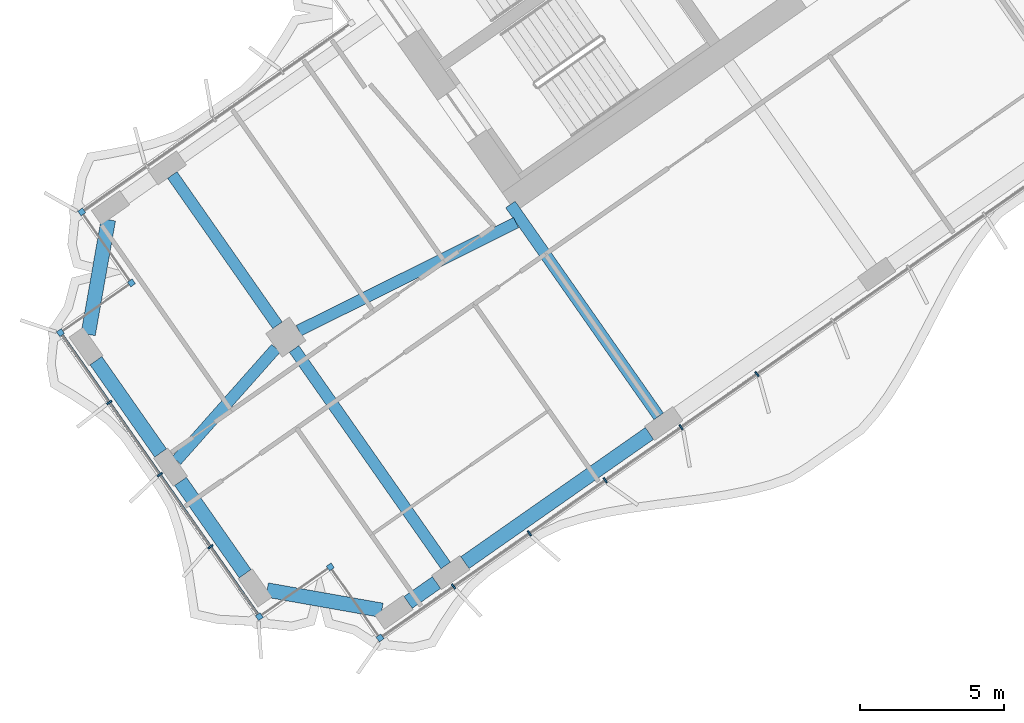
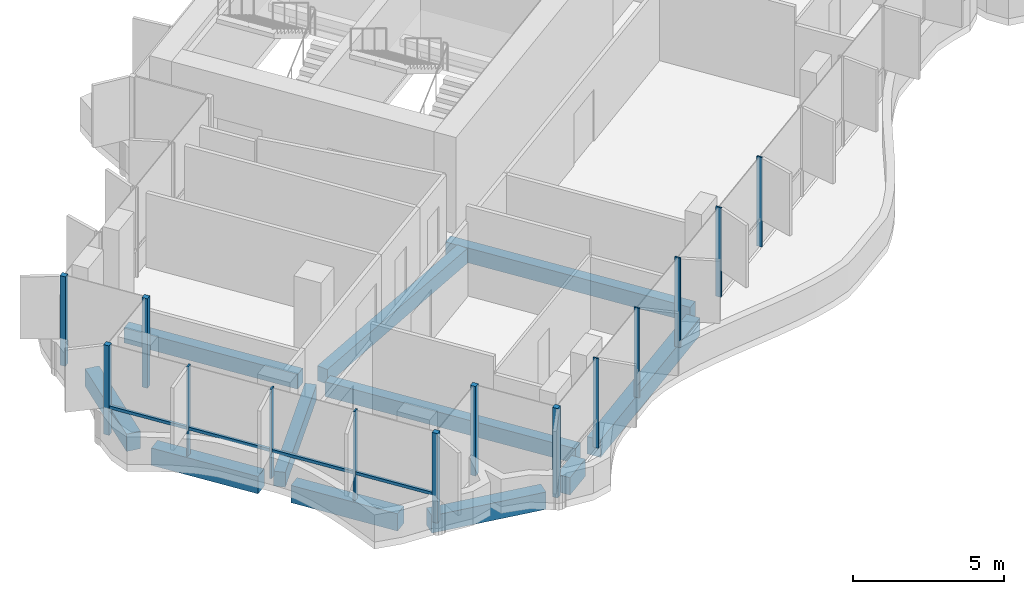
# One storey, part 2 of 23: 15 members, 11 beams, 1 element without a shape of its own.
"""IFC4 building model written with IfcOpenShell, lengths in metres."""

from ifc_helpers import new_model, si_unit, direction, frame, origin, origin_2d, place, context, subcontext, project, spatial, rectangle, extrude, material, material_profile, profile_set, type_object, element, aggregate, save


model = new_model("IFC4")

# Units and contexts
model_context = context("Model", 3, precision=1e-05, world=origin(), true_north=direction((0.0, 1.0)))
body_context = subcontext(model_context, "Body", "Model", "MODEL_VIEW")
ifc_project = project(units=[si_unit("LENGTHUNIT", "METRE"), si_unit("AREAUNIT", "SQUARE_METRE"), si_unit("VOLUMEUNIT", "CUBIC_METRE"), si_unit("PLANEANGLEUNIT", "RADIAN"), si_unit("MASSUNIT", "GRAM", prefix="KILO")], contexts=[model_context])

# Site, building, storey
site_placement = place(None, origin())
site = spatial("IfcSite", under=ifc_project, at=site_placement, CompositionType="ELEMENT")
building_placement = place(site_placement, origin())
building = spatial("IfcBuilding", under=site, at=building_placement, Name="Tel Ilan Convention Tower", CompositionType="ELEMENT")
storey_placement = place(building_placement, frame((0.0, 0.0, 171.0)))
storey = spatial("IfcBuildingStorey", under=building, at=storey_placement, Name="L39", CompositionType="ELEMENT", Elevation=171.0)

# Beams
ifc_material_1 = material(Name="Concrete C40/50", Category="concrete")
ifc_material_profile_1 = material_profile(ifc_material_1, rectangle(XDim=0.39990234375, YDim=0.60009765625, at=origin_2d()), Name="RC 400x600")
ifc_profile_set_1 = profile_set([ifc_material_profile_1], Name="Concrete C40/50")
beam_type_1 = type_object("IfcBeamType", Name="Beam RC 400x600 Concrete C40/50", PredefinedType="BEAM", material=ifc_profile_set_1)
beam_1_placement = place(storey_placement, frame((-16.58203125, -23.391357421875, -0.580078125), z_axis=(-0.573584999642, 0.819146048141, 0.0), x_axis=(-0.819146048141, -0.573584999642, 0.0)))
element("IfcBeam", 1, at=beam_1_placement, inside=storey, type_object=beam_type_1, Name="L39 beam W-W-F3-core", PredefinedType="BEAM", context=body_context, shape_type="SweptSolid", body=[
    extrude(rectangle(XDim=0.39990234375, YDim=0.60009765625, at=origin_2d()), origin(), (0.0, 0.0, 1.0), 8.949951171875),
])
beam_2_placement = place(storey_placement, frame((-21.52099609375, -16.686279296875, -0.580078125), z_axis=(-0.895402365524, -0.445257907076, 0.0), x_axis=(0.445257907076, -0.895402365524, 0.0)))
element("IfcBeam", 2, at=beam_2_placement, inside=storey, type_object=beam_type_1, Name="L39 beam W-core-W-M4", PredefinedType="BEAM", context=body_context, shape_type="SweptSolid", body=[
    extrude(rectangle(XDim=0.39990234375, YDim=0.60009765625, at=origin_2d()), origin(), (0.0, 0.0, 1.0), 8.3935546875),
])
beam_3_placement = place(storey_placement, frame((-29.830322265625, -21.03369140625, -0.580078125), z_axis=(-0.663175252401, -0.748464150512, 0.0), x_axis=(0.748464150512, -0.663175252401, 0.0)))
element("IfcBeam", 3, at=beam_3_placement, inside=storey, type_object=beam_type_1, Name="L39 beam W-W-M4-end", PredefinedType="BEAM", context=body_context, shape_type="SweptSolid", body=[
    extrude(rectangle(XDim=0.39990234375, YDim=0.60009765625, at=origin_2d()), origin(), (0.0, 0.0, 1.0), 5.192626953125),
])
beam_4_placement = place(storey_placement, frame((-29.20263671875, -21.058349609375, -0.580078125), z_axis=(0.573557249804, -0.819165478519, 0.0), x_axis=(0.819165478519, 0.573557249804, 0.0)))
element("IfcBeam", 4, at=beam_4_placement, inside=storey, type_object=beam_type_1, Name="L39 beam W-W-M4-W-F4", PredefinedType="BEAM", context=body_context, shape_type="SweptSolid", body=[
    extrude(rectangle(XDim=0.39990234375, YDim=0.60009765625, at=origin_2d()), origin(), (0.0, 0.0, 1.0), 9.14990234375),
])
beam_5_placement = place(storey_placement, frame((-29.7763671875, -20.2392578125, -0.580078125), z_axis=(-0.573560394383, 0.819163276762, 0.0), x_axis=(-0.819163276762, -0.573560394383, 0.0)))
element("IfcBeam", 5, at=beam_5_placement, inside=storey, type_object=beam_type_1, Name="L39 beam W-W-M4-W-B4", PredefinedType="BEAM", context=body_context, shape_type="SweptSolid", body=[
    extrude(rectangle(XDim=0.39990234375, YDim=0.60009765625, at=origin_2d()), origin(), (0.0, 0.0, 1.0), 6.349853515625),
])
ifc_material_2 = material(Name="Concrete C40/50", Category="concrete")
ifc_material_profile_2 = material_profile(ifc_material_2, rectangle(XDim=0.5, YDim=0.699951171875, at=origin_2d()), Name="RC 500x700")
ifc_profile_set_2 = profile_set([ifc_material_profile_2], Name="Concrete C40/50")
beam_type_2 = type_object("IfcBeamType", Name="Beam RC 500x700 Concrete C40/50", PredefinedType="BEAM", material=ifc_profile_set_2)
beam_6_placement = place(storey_placement, frame((-16.901611328125, -23.981201171875, -0.6298828125), z_axis=(-0.819153977895, -0.573573674866, 0.0), x_axis=(0.573573674866, -0.819153977895, 0.0)))
element("IfcBeam", 6, at=beam_6_placement, inside=storey, type_object=beam_type_2, Name="L39 beam W-W-F3-W-F4", PredefinedType="BEAM", context=body_context, shape_type="SweptSolid", body=[
    extrude(rectangle(XDim=0.5, YDim=0.699951171875, at=origin_2d()), origin(), (0.0, 0.0, 1.0), 7.800048828125),
])
beam_7_placement = place(storey_placement, frame((-24.27392578125, -29.1435546875, -0.6298828125), z_axis=(-0.819155442668, -0.573571582932, 0.0), x_axis=(0.573571582932, -0.819155442668, 0.0)))
element("IfcBeam", 7, at=beam_7_placement, inside=storey, type_object=beam_type_2, Name="L39 beam W-W-F4-W-FC", PredefinedType="BEAM", context=body_context, shape_type="SweptSolid", body=[
    extrude(rectangle(XDim=0.5, YDim=0.699951171875, at=origin_2d()), origin(), (0.0, 0.0, 1.0), 1.199951171875),
])
beam_8_placement = place(storey_placement, frame((-26.166259765625, -30.102294921875, -0.6298828125), z_axis=(-0.984804894423, 0.173664388751, 0.0), x_axis=(-0.173664388751, -0.984804894423, 0.0)))
element("IfcBeam", 8, at=beam_8_placement, inside=storey, type_object=beam_type_2, Name="L39 beam W-W-FC-W-E1", PredefinedType="BEAM", context=body_context, shape_type="SweptSolid", body=[
    extrude(rectangle(XDim=0.5, YDim=0.699951171875, at=origin_2d()), origin(), (0.0, 0.0, 1.0), 4.030517578125),
])
for number, where, z_axis, x_axis, name in (
    (9, (-30.8974609375, -28.837158203125, -0.6298828125), (-0.573609383536, 0.819128973434, 0.0), (-0.819128973434, -0.573609383536, 0.0), "L39 beam W-W-E1-W-E2"),
    (10, (-33.82275390625, -24.659423828125, -0.6298828125), (-0.573567378001, 0.81915838694, 0.0), (-0.81915838694, -0.573567378001, 0.0), "L39 beam W-W-E2-W-E3"),
):
    element("IfcBeam", number, at=place(storey_placement, frame(where, z_axis=z_axis, x_axis=x_axis)), inside=storey, type_object=beam_type_2, Name=name, PredefinedType="BEAM", context=body_context, shape_type="SweptSolid", body=[
        extrude(rectangle(XDim=0.5, YDim=0.699951171875, at=origin_2d()), origin(), (0.0, 0.0, 1.0), 3.89990234375),
    ])
beam_9_placement = place(storey_placement, frame((-36.330078125, -20.555419921875, -0.6298828125), z_axis=(0.173664388751, 0.984804894423, 0.0), x_axis=(-0.984804894423, 0.173664388751, 0.0)))
element("IfcBeam", 11, at=beam_9_placement, inside=storey, type_object=beam_type_2, Name="L39 beam W-W-E3-W-BC", PredefinedType="BEAM", context=body_context, shape_type="SweptSolid", body=[
    extrude(rectangle(XDim=0.5, YDim=0.699951171875, at=origin_2d()), origin(), (0.0, 0.0, 1.0), 4.030517578125),
])

# Curtain wall, members
ifc_material_3 = material(Name="Aluminium, bronze anodised", Category="aluminium")
curtain_wall_type = type_object("IfcCurtainWallType", Name="CW4 STICK CURTAIN WALL, OFFICE TINTED GLASS", PredefinedType="NOTDEFINED", material=ifc_material_3)
curtain_wall_placement = place(storey_placement, origin())
curtain_wall = element("IfcCurtainWall", 12, at=curtain_wall_placement, inside=storey, type_object=curtain_wall_type, Name="Curtain wall CW4-31.02", PredefinedType="NOTDEFINED")
ifc_material_4 = material(Name="Aluminium, bronze anodised", Category="aluminium")
ifc_material_profile_3 = material_profile(ifc_material_4, rectangle(XDim=0.199951171875, YDim=0.199951171875, at=origin_2d()), Name="CW CORNER MULLION 200x200")
ifc_profile_set_3 = profile_set([ifc_material_profile_3], Name="Aluminium, bronze anodised")
member_type_1 = type_object("IfcMemberType", Name="CW CORNER MULLION 200x200", PredefinedType="MULLION", material=ifc_profile_set_3)
member_1_placement = place(storey_placement, frame((-36.5517578125, -16.31591796875, 0.0), z_axis=(0.0, 0.0, 1.0), x_axis=(-0.819152044289, -0.573576436351, 0.0)))
member_1 = element("IfcMember", 13, at=member_1_placement, type_object=member_type_1, Name="Corner mullion", PredefinedType="MULLION", context=body_context, shape_type="SweptSolid", body=[
    extrude(rectangle(XDim=0.199951171875, YDim=0.199951171875, at=origin_2d()), origin(), (0.0, 0.0, 1.0), 3.6201171875),
])
member_2_placement = place(storey_placement, frame((-34.8310546875, -18.7734375, 0.0), z_axis=(0.0, 0.0, 1.0), x_axis=(0.573576436351, -0.819152044289, 0.0)))
member_2 = element("IfcMember", 14, at=member_2_placement, type_object=member_type_1, Name="Corner mullion", PredefinedType="MULLION", context=body_context, shape_type="SweptSolid", body=[
    extrude(rectangle(XDim=0.199951171875, YDim=0.199951171875, at=origin_2d()), origin(), (0.0, 0.0, 1.0), 3.6201171875),
])
member_3_placement = place(storey_placement, frame((-37.28857421875, -20.494140625, 0.0), z_axis=(0.0, 0.0, 1.0), x_axis=(-0.819152044289, -0.573576436351, 0.0)))
member_3 = element("IfcMember", 15, at=member_3_placement, type_object=member_type_1, Name="Corner mullion", PredefinedType="MULLION", context=body_context, shape_type="SweptSolid", body=[
    extrude(rectangle(XDim=0.199951171875, YDim=0.199951171875, at=origin_2d()), origin(), (0.0, 0.0, 1.0), 3.6201171875),
])
member_4_placement = place(storey_placement, frame((-30.40576171875, -30.323974609375, 0.0), z_axis=(0.0, 0.0, 1.0), x_axis=(0.573576436351, -0.819152044289, 0.0)))
member_4 = element("IfcMember", 16, at=member_4_placement, type_object=member_type_1, Name="Corner mullion", PredefinedType="MULLION", context=body_context, shape_type="SweptSolid", body=[
    extrude(rectangle(XDim=0.199951171875, YDim=0.199951171875, at=origin_2d()), origin(), (0.0, 0.0, 1.0), 3.6201171875),
])
member_5_placement = place(storey_placement, frame((-27.9482421875, -28.603271484375, 0.0), z_axis=(0.0, 0.0, 1.0), x_axis=(0.819152044289, 0.573576436351, 0.0)))
member_5 = element("IfcMember", 17, at=member_5_placement, type_object=member_type_1, Name="Corner mullion", PredefinedType="MULLION", context=body_context, shape_type="SweptSolid", body=[
    extrude(rectangle(XDim=0.199951171875, YDim=0.199951171875, at=origin_2d()), origin(), (0.0, 0.0, 1.0), 3.6201171875),
])
member_6_placement = place(storey_placement, frame((-26.2275390625, -31.060791015625, 0.0), z_axis=(0.0, 0.0, 1.0), x_axis=(0.573576436351, -0.819152044289, 0.0)))
member_6 = element("IfcMember", 18, at=member_6_placement, type_object=member_type_1, Name="Corner mullion", PredefinedType="MULLION", context=body_context, shape_type="SweptSolid", body=[
    extrude(rectangle(XDim=0.199951171875, YDim=0.199951171875, at=origin_2d()), origin(), (0.0, 0.0, 1.0), 3.6201171875),
])
ifc_material_5 = material(Name="Aluminium, bronze anodised", Category="aluminium")
ifc_material_profile_4 = material_profile(ifc_material_5, rectangle(XDim=0.06005859375, YDim=0.199951171875, at=origin_2d()), Name="CW MULLION 60x200")
ifc_profile_set_4 = profile_set([ifc_material_profile_4], Name="Aluminium, bronze anodised")
member_type_2 = type_object("IfcMemberType", Name="CW MULLION 60x200", PredefinedType="MULLION", material=ifc_profile_set_4)
member_7_placement = place(storey_placement, frame((-35.596435546875, -22.91064453125, 0.0), z_axis=(0.0, 0.0, 1.0), x_axis=(0.573576436351, -0.819152044289, 0.0)))
member_7 = element("IfcMember", 19, at=member_7_placement, type_object=member_type_2, Name="Mullion", PredefinedType="MULLION", context=body_context, shape_type="SweptSolid", body=[
    extrude(rectangle(XDim=0.06005859375, YDim=0.199951171875, at=origin_2d()), origin(), (0.0, 0.0, 1.0), 3.6201171875),
])
member_8_placement = place(storey_placement, frame((-33.84716796875, -25.4091796875, 0.0), z_axis=(0.0, 0.0, 1.0), x_axis=(0.573576436351, -0.819152044289, 0.0)))
member_8 = element("IfcMember", 20, at=member_8_placement, type_object=member_type_2, Name="Mullion", PredefinedType="MULLION", context=body_context, shape_type="SweptSolid", body=[
    extrude(rectangle(XDim=0.06005859375, YDim=0.199951171875, at=origin_2d()), origin(), (0.0, 0.0, 1.0), 3.6201171875),
])
member_9_placement = place(storey_placement, frame((-32.09765625, -27.907470703125, 0.0), z_axis=(0.0, 0.0, 1.0), x_axis=(0.573576436351, -0.819152044289, 0.0)))
member_9 = element("IfcMember", 21, at=member_9_placement, type_object=member_type_2, Name="Mullion", PredefinedType="MULLION", context=body_context, shape_type="SweptSolid", body=[
    extrude(rectangle(XDim=0.06005859375, YDim=0.199951171875, at=origin_2d()), origin(), (0.0, 0.0, 1.0), 3.6201171875),
])
member_10_placement = place(storey_placement, frame((-23.68408203125, -29.27978515625, 0.0), z_axis=(0.0, 0.0, 1.0), x_axis=(0.819152044289, 0.573576436351, 0.0)))
member_10 = element("IfcMember", 22, at=member_10_placement, type_object=member_type_2, Name="Mullion", PredefinedType="MULLION", context=body_context, shape_type="SweptSolid", body=[
    extrude(rectangle(XDim=0.06005859375, YDim=0.199951171875, at=origin_2d()), origin(), (0.0, 0.0, 1.0), 3.6201171875),
])
member_11_placement = place(storey_placement, frame((-21.05908203125, -27.441650390625, 0.0), z_axis=(0.0, 0.0, 1.0), x_axis=(0.819152044289, 0.573576436351, 0.0)))
member_11 = element("IfcMember", 23, at=member_11_placement, type_object=member_type_2, Name="Mullion", PredefinedType="MULLION", context=body_context, shape_type="SweptSolid", body=[
    extrude(rectangle(XDim=0.06005859375, YDim=0.199951171875, at=origin_2d()), origin(), (0.0, 0.0, 1.0), 3.6201171875),
])
member_12_placement = place(storey_placement, frame((-18.433837890625, -25.603515625, 0.0), z_axis=(0.0, 0.0, 1.0), x_axis=(0.819152044289, 0.573576436351, 0.0)))
member_12 = element("IfcMember", 24, at=member_12_placement, type_object=member_type_2, Name="Mullion", PredefinedType="MULLION", context=body_context, shape_type="SweptSolid", body=[
    extrude(rectangle(XDim=0.06005859375, YDim=0.199951171875, at=origin_2d()), origin(), (0.0, 0.0, 1.0), 3.6201171875),
])
member_13_placement = place(storey_placement, frame((-15.80859375, -23.765380859375, 0.0), z_axis=(0.0, 0.0, 1.0), x_axis=(0.819152044289, 0.573576436351, 0.0)))
member_13 = element("IfcMember", 25, at=member_13_placement, type_object=member_type_2, Name="Mullion", PredefinedType="MULLION", context=body_context, shape_type="SweptSolid", body=[
    extrude(rectangle(XDim=0.06005859375, YDim=0.199951171875, at=origin_2d()), origin(), (0.0, 0.0, 1.0), 3.6201171875),
])
member_14_placement = place(storey_placement, frame((-13.183349609375, -21.92724609375, 0.0), z_axis=(0.0, 0.0, 1.0), x_axis=(0.819152044289, 0.573576436351, 0.0)))
member_14 = element("IfcMember", 26, at=member_14_placement, type_object=member_type_2, Name="Mullion", PredefinedType="MULLION", context=body_context, shape_type="SweptSolid", body=[
    extrude(rectangle(XDim=0.06005859375, YDim=0.199951171875, at=origin_2d()), origin(), (0.0, 0.0, 1.0), 3.6201171875),
])
ifc_material_6 = material(Name="Aluminium, bronze anodised", Category="aluminium")
ifc_material_profile_5 = material_profile(ifc_material_6, rectangle(XDim=0.10009765625, YDim=0.1201171875, at=origin_2d()), Name="CW TRANSOM 100x120")
ifc_profile_set_5 = profile_set([ifc_material_profile_5], Name="Aluminium, bronze anodised")
member_type_3 = type_object("IfcMemberType", Name="CW TRANSOM 100x120", PredefinedType="USERDEFINED", material=ifc_profile_set_5)
member_15_placement = place(storey_placement, frame((-37.231201171875, -20.576171875, 1.10009765625), z_axis=(0.573567872435, -0.819158040741, 0.0), x_axis=(0.819158040741, 0.573567872435, 0.0)))
member_15 = element("IfcMember", 27, at=member_15_placement, type_object=member_type_3, Name="Transom", ObjectType="TRANSOM", PredefinedType="USERDEFINED", context=body_context, shape_type="SweptSolid", body=[
    extrude(rectangle(XDim=0.10009765625, YDim=0.1201171875, at=origin_2d()), origin(), (0.0, 0.0, 1.0), 11.800048828125),
])
aggregate(curtain_wall, [member_1, member_2, member_3, member_7, member_8, member_9, member_4, member_15, member_5, member_6, member_10, member_11, member_12, member_13, member_14])

save(model, "model.ifc")
